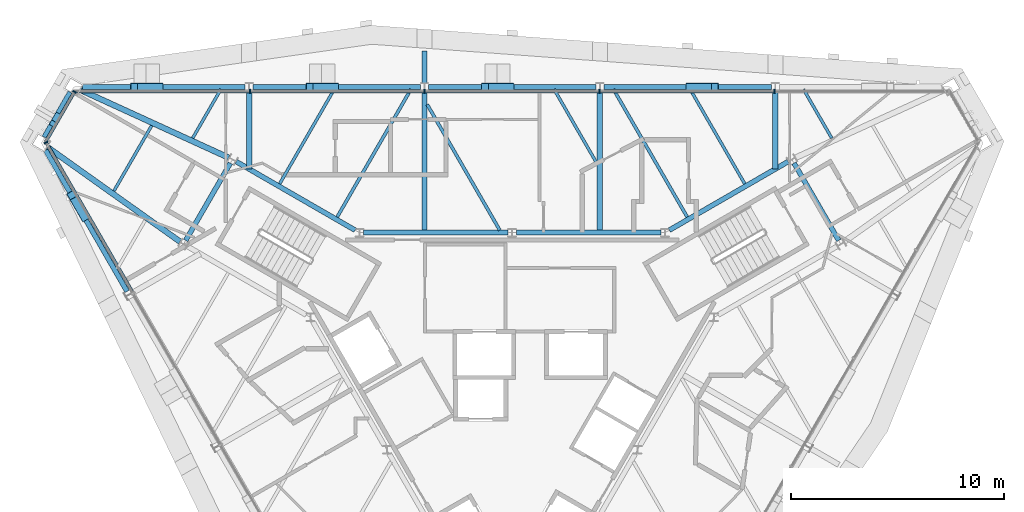
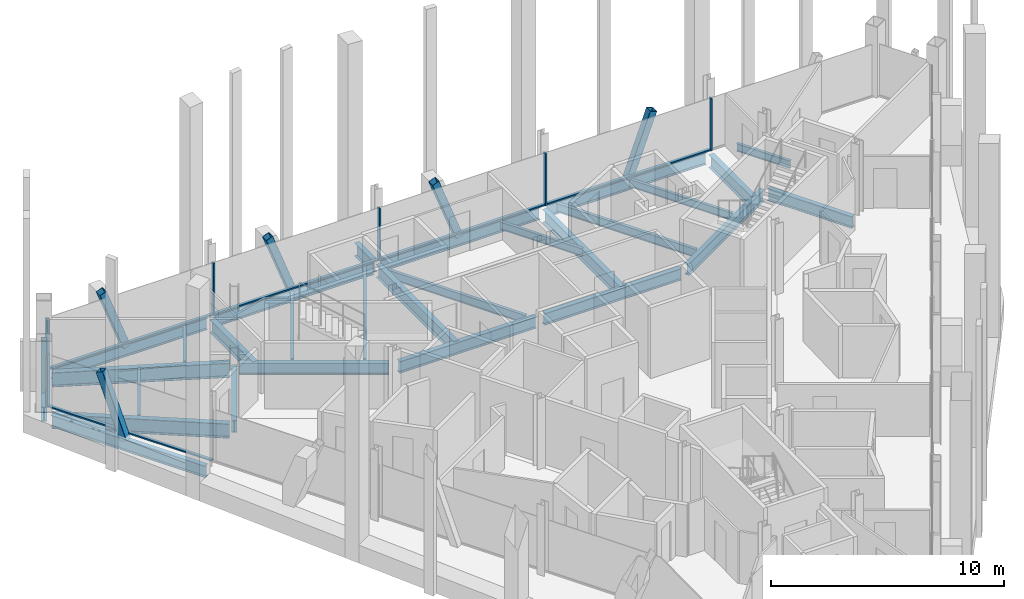
# One storey, part 6 of 15: 28 beams, 18 members, 3 elements without a shape of their own.
"""IFC4 building model written with IfcOpenShell, lengths in metres."""

from ifc_helpers import new_model, si_unit, direction, frame, origin, origin_2d, place, context, subcontext, project, spatial, rectangle, hollow_rectangle, i_section, extrude, material, material_profile, profile_set, type_object, element, aggregate, save


model = new_model("IFC4")

# Units and contexts
model_context = context("Model", 3, precision=1e-05, world=origin(), true_north=direction((0.0, 1.0)))
body_context = subcontext(model_context, "Body", "Model", "MODEL_VIEW")
ifc_project = project(units=[si_unit("LENGTHUNIT", "METRE"), si_unit("AREAUNIT", "SQUARE_METRE"), si_unit("VOLUMEUNIT", "CUBIC_METRE"), si_unit("PLANEANGLEUNIT", "RADIAN"), si_unit("MASSUNIT", "GRAM", prefix="KILO")], contexts=[model_context])

# Site, building, storey
site_placement = place(None, origin())
site = spatial("IfcSite", under=ifc_project, at=site_placement, CompositionType="ELEMENT")
building_placement = place(site_placement, origin())
building = spatial("IfcBuilding", under=site, at=building_placement, Name="Verrane Prism Tower", CompositionType="ELEMENT")
storey_placement = place(building_placement, frame((0.0, 0.0, 297.300048828125)))
storey = spatial("IfcBuildingStorey", under=building, at=storey_placement, Name="L75", CompositionType="ELEMENT", Elevation=297.300048828125)

# Member
ifc_material_1 = material(Name="Steel A500 Grade C", Category="steel")
ifc_material_profile_1 = material_profile(ifc_material_1, hollow_rectangle(XDim=0.25390625, YDim=0.25390625, WallThickness=0.009521484375, InnerFilletRadius=0.0048828125, OuterFilletRadius=0.014404296875, at=origin_2d()), Name="HSS10x10x3/8")
ifc_profile_set_1 = profile_set([ifc_material_profile_1], Name="Steel A500 Grade C")
member_type_1 = type_object("IfcMemberType", Name="Chamfer brace HSS10x10x3/8", PredefinedType="BRACE", material=ifc_profile_set_1)
member_1_placement = place(storey_placement, frame((-21.38037109375, 12.2998046875, -0.24267578125), z_axis=(-0.067784448094, -0.117358148939, 0.990773603541), x_axis=(0.865936922628, -0.500153222552, 0.0)))
element("IfcMember", 1, at=member_1_placement, inside=storey, type_object=member_type_1, Name="Chamfer brace NW0 L75", PredefinedType="BRACE", context=body_context, shape_type="SweptSolid", body=[
    extrude(hollow_rectangle(XDim=0.25390625, YDim=0.25390625, WallThickness=0.009521484375, InnerFilletRadius=0.0048828125, OuterFilletRadius=0.014404296875, at=origin_2d()), origin(), (0.0, 0.0, 1.0), 3.13720703125),
])

# Beams
ifc_material_2 = material(Name="Steel A992", Category="steel")
ifc_material_profile_2 = material_profile(ifc_material_2, i_section(OverallWidth=0.2666015625, OverallDepth=0.7568359375, WebThickness=0.013916015625, FlangeThickness=0.019287109375, FilletRadius=0.0166015625, at=origin_2d()), Name="W30x108")
ifc_profile_set_2 = profile_set([ifc_material_profile_2], Name="Steel A992")
beam_type_1 = type_object("IfcBeamType", Name="Chamfer spandrel beam W30x108", PredefinedType="SPANDREL", material=ifc_profile_set_2)
beam_1_placement = place(storey_placement, frame((-20.75, 13.390380859375, -0.53857421875), z_axis=(-0.500436097356, -0.865773476415, 0.0), x_axis=(0.865773476415, -0.500436097356, 0.0)))
element("IfcBeam", 2, at=beam_1_placement, inside=storey, type_object=beam_type_1, Name="Chamfer spandrel beam L75", PredefinedType="SPANDREL", context=body_context, shape_type="SweptSolid", body=[
    extrude(i_section(OverallWidth=0.2666015625, OverallDepth=0.7568359375, WebThickness=0.013916015625, FlangeThickness=0.019287109375, FilletRadius=0.0166015625, at=origin_2d()), origin(), (0.0, 0.0, 1.0), 2.437744140625),
])
ifc_material_3 = material(Name="Steel A992", Category="steel")
ifc_material_profile_3 = material_profile(ifc_material_3, i_section(OverallWidth=0.23046875, OverallDepth=0.6171875, WebThickness=0.01318359375, FlangeThickness=0.022216796875, FilletRadius=0.012939453125, at=origin_2d()), Name="W24x94")
ifc_profile_set_3 = profile_set([ifc_material_profile_3], Name="Steel A992")
beam_type_2 = type_object("IfcBeamType", Name="Core ring girder W24x94", PredefinedType="BEAM", material=ifc_profile_set_3)
beam_2_placement = place(storey_placement, frame((15.339599609375, 6.43359375, -0.55859375), z_axis=(-0.500306681185, 0.865848268903, 0.0), x_axis=(-0.865848268903, -0.500306681185, 0.0)))
element("IfcBeam", 3, at=beam_2_placement, inside=storey, type_object=beam_type_2, Name="Core ring girder L75", PredefinedType="BEAM", context=body_context, shape_type="SweptSolid", body=[
    extrude(i_section(OverallWidth=0.23046875, OverallDepth=0.6171875, WebThickness=0.01318359375, FlangeThickness=0.022216796875, FilletRadius=0.012939453125, at=origin_2d()), origin(), (0.0, 0.0, 1.0), 4.195556640625),
])
beam_3_placement = place(storey_placement, frame((12.96728515625, 10.140380859375, -0.55859375), z_axis=(-0.866080992722, -0.499903704773, 0.0), x_axis=(0.499903704773, -0.866080992722, 0.0)))
element("IfcBeam", 4, at=beam_3_placement, inside=storey, type_object=beam_type_2, Name="Core ring girder L75", PredefinedType="BEAM", context=body_context, shape_type="SweptSolid", body=[
    extrude(i_section(OverallWidth=0.23046875, OverallDepth=0.6171875, WebThickness=0.01318359375, FlangeThickness=0.022216796875, FilletRadius=0.012939453125, at=origin_2d()), origin(), (0.0, 0.0, 1.0), 6.451904296875),
])
for number, where, z_axis, x_axis, name in (
    (5, (6.980712890625, 6.800048828125, -0.55859375), (-1.0, 0.0, 0.0), (0.0, -1.0, 0.0), "Core ring girder L75"),
    (6, (-0.199462890625, 6.800048828125, -0.55859375), (-1.0, 0.0, 0.0), (0.0, -1.0, 0.0), "Core ring girder L75"),
):
    element("IfcBeam", number, at=place(storey_placement, frame(where, z_axis=z_axis, x_axis=x_axis)), inside=storey, type_object=beam_type_2, Name=name, PredefinedType="BEAM", context=body_context, shape_type="SweptSolid", body=[
        extrude(i_section(OverallWidth=0.23046875, OverallDepth=0.6171875, WebThickness=0.01318359375, FlangeThickness=0.022216796875, FilletRadius=0.012939453125, at=origin_2d()), origin(), (0.0, 0.0, 1.0), 6.78125),
    ])
beam_4_placement = place(storey_placement, frame((-7.37939453125, 6.9150390625, -0.55859375), z_axis=(-0.866080992722, 0.499903704773, 0.0), x_axis=(-0.499903704773, -0.866080992722, 0.0)))
element("IfcBeam", 7, at=beam_4_placement, inside=storey, type_object=beam_type_2, Name="Core ring girder L75", PredefinedType="BEAM", context=body_context, shape_type="SweptSolid", body=[
    extrude(i_section(OverallWidth=0.23046875, OverallDepth=0.6171875, WebThickness=0.01318359375, FlangeThickness=0.022216796875, FilletRadius=0.012939453125, at=origin_2d()), origin(), (0.0, 0.0, 1.0), 6.451904296875),
])
beam_5_placement = place(storey_placement, frame((-13.240478515625, 10.06640625, -0.55859375), z_axis=(-0.500306681185, -0.865848268903, 0.0), x_axis=(0.865848268903, -0.500306681185, 0.0)))
element("IfcBeam", 8, at=beam_5_placement, inside=storey, type_object=beam_type_2, Name="Core ring girder L75", PredefinedType="BEAM", context=body_context, shape_type="SweptSolid", body=[
    extrude(i_section(OverallWidth=0.23046875, OverallDepth=0.6171875, WebThickness=0.01318359375, FlangeThickness=0.022216796875, FilletRadius=0.012939453125, at=origin_2d()), origin(), (0.0, 0.0, 1.0), 4.195556640625),
])
ifc_material_4 = material(Name="Steel A992", Category="steel")
ifc_material_profile_4 = material_profile(ifc_material_4, i_section(OverallWidth=0.2666015625, OverallDepth=0.7568359375, WebThickness=0.013916015625, FlangeThickness=0.019287109375, FilletRadius=0.0166015625, at=origin_2d()), Name="W30x108")
ifc_profile_set_4 = profile_set([ifc_material_profile_4], Name="Steel A992")
beam_type_3 = type_object("IfcBeamType", Name="Corner girder W30x108", PredefinedType="BEAM", material=ifc_profile_set_4)
for number, where, z_axis, x_axis, name in (
    (9, (-20.2802734375, 13.50390625, -0.5986328125), (0.909481370613, -0.415744677065, 0.0), (0.415744677065, 0.909481370613, 0.0), "Corner girder L75"),
    (10, (-21.833740234375, 10.81591796875, -0.5986328125), (0.814401339816, -0.580302040067, 0.0), (0.580302040067, 0.814401339816, 0.0), "Corner girder L75"),
):
    element("IfcBeam", number, at=place(storey_placement, frame(where, z_axis=z_axis, x_axis=x_axis)), inside=storey, type_object=beam_type_3, Name=name, PredefinedType="BEAM", context=body_context, shape_type="SweptSolid", body=[
        extrude(i_section(OverallWidth=0.2666015625, OverallDepth=0.7568359375, WebThickness=0.013916015625, FlangeThickness=0.019287109375, FilletRadius=0.0166015625, at=origin_2d()), origin(), (0.0, 0.0, 1.0), 7.650634765625),
    ])

# Members
ifc_material_5 = material(Name="Steel A500 Grade C", Category="steel")
ifc_material_profile_5 = material_profile(ifc_material_5, hollow_rectangle(XDim=0.355712890625, YDim=0.355712890625, WallThickness=0.0126953125, InnerFilletRadius=0.00634765625, OuterFilletRadius=0.01904296875, at=origin_2d()), Name="HSS14x14x1/2")
ifc_profile_set_5 = profile_set([ifc_material_profile_5], Name="Steel A500 Grade C")
member_type_2 = type_object("IfcMemberType", Name="Facade brace HSS14x14x1/2", PredefinedType="BRACE", material=ifc_profile_set_5)
for number, where, z_axis, x_axis, name in (
    (11, (8.33349609375, 13.64990234375, -0.216796875), (0.347950987795, 0.0, 0.937512725296), (0.0, 1.0, 0.0), "Facade brace N1 L75"),
    (12, (-0.093505859375, 13.64990234375, -0.216796875), (-0.347950987795, 0.0, 0.937512725296), (0.0, -1.0, 0.0), "Facade brace N2 L75"),
    (13, (-8.33349609375, 13.64990234375, -0.216796875), (-0.347950987795, 0.0, 0.937512725296), (0.0, -1.0, 0.0), "Facade brace N3 L75"),
    (14, (-16.573486328125, 13.64990234375, -0.216796875), (-0.347950987795, 0.0, 0.937512725296), (0.0, -1.0, 0.0), "Facade brace N4 L75"),
):
    element("IfcMember", number, at=place(storey_placement, frame(where, z_axis=z_axis, x_axis=x_axis)), inside=storey, type_object=member_type_2, Name=name, PredefinedType="BRACE", context=body_context, shape_type="SweptSolid", body=[
        extrude(hollow_rectangle(XDim=0.355712890625, YDim=0.355712890625, WallThickness=0.0126953125, InnerFilletRadius=0.00634765625, OuterFilletRadius=0.01904296875, at=origin_2d()), origin(), (0.0, 0.0, 1.0), 3.409423828125),
    ])
member_2_placement = place(storey_placement, frame((-20.106689453125, 7.531005859375, -0.216796875), z_axis=(-0.17399901277, 0.301526684269, 0.937446532997), x_axis=(-0.86613421761, -0.499811481546, 0.0)))
element("IfcMember", 15, at=member_2_placement, inside=storey, type_object=member_type_2, Name="Facade brace SW0 L75", PredefinedType="BRACE", context=body_context, shape_type="SweptSolid", body=[
    extrude(hollow_rectangle(XDim=0.355712890625, YDim=0.355712890625, WallThickness=0.0126953125, InnerFilletRadius=0.00634765625, OuterFilletRadius=0.01904296875, at=origin_2d()), origin(), (0.0, 0.0, 1.0), 3.40966796875),
])

# Beams
ifc_material_6 = material(Name="Steel A992", Category="steel")
ifc_material_profile_6 = material_profile(ifc_material_6, i_section(OverallWidth=0.140380859375, OverallDepth=0.40380859375, WebThickness=0.007080078125, FlangeThickness=0.01123046875, FilletRadius=0.01025390625, at=origin_2d()), Name="W16x31")
ifc_profile_set_6 = profile_set([ifc_material_profile_6], Name="Steel A992")
beam_type_4 = type_object("IfcBeamType", Name="Floor beam W16x31", PredefinedType="BEAM", material=ifc_profile_set_6)
beam_6_placement = place(storey_placement, frame((15.01123046875, 11.2421875, -0.362060546875), z_axis=(-0.50007632508, 0.865981332994, 0.0), x_axis=(-0.865981332994, -0.50007632508, 0.0)))
element("IfcBeam", 16, at=beam_6_placement, inside=storey, type_object=beam_type_4, Name="Floor beam L75", PredefinedType="BEAM", context=body_context, shape_type="SweptSolid", body=[
    extrude(i_section(OverallWidth=0.140380859375, OverallDepth=0.40380859375, WebThickness=0.007080078125, FlangeThickness=0.01123046875, FilletRadius=0.01025390625, at=origin_2d()), origin(), (0.0, 0.0, 1.0), 2.6474609375),
])
beam_7_placement = place(storey_placement, frame((10.925048828125, 9.094482421875, -0.362060546875), z_axis=(-0.500005474671, 0.866022242959, 0.0), x_axis=(-0.866022242959, -0.500005474671, 0.0)))
element("IfcBeam", 17, at=beam_7_placement, inside=storey, type_object=beam_type_4, Name="Floor beam L75", PredefinedType="BEAM", context=body_context, shape_type="SweptSolid", body=[
    extrude(i_section(OverallWidth=0.140380859375, OverallDepth=0.40380859375, WebThickness=0.007080078125, FlangeThickness=0.01123046875, FilletRadius=0.01025390625, at=origin_2d()), origin(), (0.0, 0.0, 1.0), 5.12744140625),
])
beam_8_placement = place(storey_placement, frame((3.992919921875, 10.029296875, -0.362060546875), z_axis=(-0.499992196334, 0.866029909186, 0.0), x_axis=(-0.866029909186, -0.499992196334, 0.0)))
element("IfcBeam", 18, at=beam_8_placement, inside=storey, type_object=beam_type_4, Name="Floor beam L75", PredefinedType="BEAM", context=body_context, shape_type="SweptSolid", body=[
    extrude(i_section(OverallWidth=0.140380859375, OverallDepth=0.40380859375, WebThickness=0.007080078125, FlangeThickness=0.01123046875, FilletRadius=0.01025390625, at=origin_2d()), origin(), (0.0, 0.0, 1.0), 4.0478515625),
])
beam_9_placement = place(storey_placement, frame((-10.925048828125, 9.094482421875, -0.362060546875), z_axis=(0.500005474671, 0.866022242959, 0.0), x_axis=(-0.866022242959, 0.500005474671, 0.0)))
element("IfcBeam", 19, at=beam_9_placement, inside=storey, type_object=beam_type_4, Name="Floor beam L75", PredefinedType="BEAM", context=body_context, shape_type="SweptSolid", body=[
    extrude(i_section(OverallWidth=0.140380859375, OverallDepth=0.40380859375, WebThickness=0.007080078125, FlangeThickness=0.01123046875, FilletRadius=0.01025390625, at=origin_2d()), origin(), (0.0, 0.0, 1.0), 5.12744140625),
])
beam_10_placement = place(storey_placement, frame((-15.01123046875, 11.2421875, -0.362060546875), z_axis=(0.50007632508, 0.865981332994, 0.0), x_axis=(-0.865981332994, 0.50007632508, 0.0)))
element("IfcBeam", 20, at=beam_10_placement, inside=storey, type_object=beam_type_4, Name="Floor beam L75", PredefinedType="BEAM", context=body_context, shape_type="SweptSolid", body=[
    extrude(i_section(OverallWidth=0.140380859375, OverallDepth=0.40380859375, WebThickness=0.007080078125, FlangeThickness=0.01123046875, FilletRadius=0.01025390625, at=origin_2d()), origin(), (0.0, 0.0, 1.0), 2.6474609375),
])
beam_11_placement = place(storey_placement, frame((-18.712158203125, 8.755615234375, -0.362060546875), z_axis=(0.499986454343, 0.866033224232, 0.0), x_axis=(-0.866033224232, 0.499986454343, 0.0)))
element("IfcBeam", 21, at=beam_11_placement, inside=storey, type_object=beam_type_4, Name="Floor beam L75", PredefinedType="BEAM", context=body_context, shape_type="SweptSolid", body=[
    extrude(i_section(OverallWidth=0.140380859375, OverallDepth=0.40380859375, WebThickness=0.007080078125, FlangeThickness=0.01123046875, FilletRadius=0.01025390625, at=origin_2d()), origin(), (0.0, 0.0, 1.0), 3.548828125),
])
ifc_material_7 = material(Name="Steel A992", Category="steel")
ifc_material_profile_7 = material_profile(ifc_material_7, i_section(OverallWidth=0.15234375, OverallDepth=0.449462890625, WebThickness=0.007568359375, FlangeThickness=0.0107421875, FilletRadius=0.01025390625, at=origin_2d()), Name="W18x35")
ifc_profile_set_7 = profile_set([ifc_material_profile_7], Name="Steel A992")
beam_type_5 = type_object("IfcBeamType", Name="Floor beam W18x35", PredefinedType="BEAM", material=ifc_profile_set_7)
beam_12_placement = place(storey_placement, frame((8.22265625, 7.53466796875, -0.384765625), z_axis=(-0.500012221024, 0.866018347858, 0.0), x_axis=(-0.866018347858, -0.500012221024, 0.0)))
element("IfcBeam", 22, at=beam_12_placement, inside=storey, type_object=beam_type_5, Name="Floor beam L75", PredefinedType="BEAM", context=body_context, shape_type="SweptSolid", body=[
    extrude(i_section(OverallWidth=0.15234375, OverallDepth=0.449462890625, WebThickness=0.007568359375, FlangeThickness=0.0107421875, FilletRadius=0.01025390625, at=origin_2d()), origin(), (0.0, 0.0, 1.0), 6.928466796875),
])
beam_13_placement = place(storey_placement, frame((-0.583251953125, 6.9150390625, -0.384765625), z_axis=(-0.499997234054, 0.866027000698, 0.0), x_axis=(-0.866027000698, -0.499997234054, 0.0)))
element("IfcBeam", 23, at=beam_13_placement, inside=storey, type_object=beam_type_5, Name="Floor beam L75", PredefinedType="BEAM", context=body_context, shape_type="SweptSolid", body=[
    extrude(i_section(OverallWidth=0.15234375, OverallDepth=0.449462890625, WebThickness=0.007568359375, FlangeThickness=0.0107421875, FilletRadius=0.01025390625, at=origin_2d()), origin(), (0.0, 0.0, 1.0), 6.8193359375),
])
beam_14_placement = place(storey_placement, frame((-8.22265625, 7.53466796875, -0.384765625), z_axis=(0.500012221024, 0.866018347858, 0.0), x_axis=(-0.866018347858, 0.500012221024, 0.0)))
element("IfcBeam", 24, at=beam_14_placement, inside=storey, type_object=beam_type_5, Name="Floor beam L75", PredefinedType="BEAM", context=body_context, shape_type="SweptSolid", body=[
    extrude(i_section(OverallWidth=0.15234375, OverallDepth=0.449462890625, WebThickness=0.007568359375, FlangeThickness=0.0107421875, FilletRadius=0.01025390625, at=origin_2d()), origin(), (0.0, 0.0, 1.0), 6.928466796875),
])

# Curtain wall, members
ifc_material_8 = material(Name="Aluminium framed insulated glazing", Category="aluminium")
curtain_wall_type = type_object("IfcCurtainWallType", Name="Curtain wall CW-A 8400 module", PredefinedType="NOTDEFINED", material=ifc_material_8)
curtain_wall_1_placement = place(storey_placement, origin())
curtain_wall_1 = element("IfcCurtainWall", 25, at=curtain_wall_1_placement, inside=storey, type_object=curtain_wall_type, Name="Glazed curtain wall north face L75", PredefinedType="NOTDEFINED")
ifc_material_9 = material(Name="Aluminium alloy 6063-T6", Category="aluminium")
ifc_material_profile_8 = material_profile(ifc_material_9, rectangle(XDim=0.199951171875, YDim=0.070068359375, at=origin_2d()), Name="Mullion 70x200 aluminium")
ifc_profile_set_8 = profile_set([ifc_material_profile_8], Name="Aluminium alloy 6063-T6")
member_type_3 = type_object("IfcMemberType", Name="Mullion 70x200 aluminium", PredefinedType="MULLION", material=ifc_profile_set_8)
member_3_placement = place(storey_placement, frame((12.32763671875, 13.447265625, 0.0), z_axis=(0.0, 0.0, 1.0), x_axis=(0.0, -1.0, 0.0)))
member_3 = element("IfcMember", 26, at=member_3_placement, type_object=member_type_3, Name="CW75.2 mullion 2", PredefinedType="MULLION", context=body_context, shape_type="SweptSolid", body=[
    extrude(rectangle(XDim=0.199951171875, YDim=0.070068359375, at=origin_2d()), origin(), (0.0, 0.0, 1.0), 2.72314453125),
])
member_4_placement = place(storey_placement, frame((4.109130859375, 13.447265625, 0.0), z_axis=(0.0, 0.0, 1.0), x_axis=(0.0, -1.0, 0.0)))
member_4 = element("IfcMember", 27, at=member_4_placement, type_object=member_type_3, Name="CW75.2 mullion 3", PredefinedType="MULLION", context=body_context, shape_type="SweptSolid", body=[
    extrude(rectangle(XDim=0.199951171875, YDim=0.070068359375, at=origin_2d()), origin(), (0.0, 0.0, 1.0), 2.72314453125),
])
member_5_placement = place(storey_placement, frame((-4.109130859375, 13.447265625, 0.0), z_axis=(0.0, 0.0, 1.0), x_axis=(0.0, -1.0, 0.0)))
member_5 = element("IfcMember", 28, at=member_5_placement, type_object=member_type_3, Name="CW75.2 mullion 4", PredefinedType="MULLION", context=body_context, shape_type="SweptSolid", body=[
    extrude(rectangle(XDim=0.199951171875, YDim=0.070068359375, at=origin_2d()), origin(), (0.0, 0.0, 1.0), 2.72314453125),
])
member_6_placement = place(storey_placement, frame((-12.32763671875, 13.447265625, 0.0), z_axis=(0.0, 0.0, 1.0), x_axis=(0.0, -1.0, 0.0)))
member_6 = element("IfcMember", 29, at=member_6_placement, type_object=member_type_3, Name="CW75.2 mullion 5", PredefinedType="MULLION", context=body_context, shape_type="SweptSolid", body=[
    extrude(rectangle(XDim=0.199951171875, YDim=0.070068359375, at=origin_2d()), origin(), (0.0, 0.0, 1.0), 2.72314453125),
])

# Curtain wall, member
curtain_wall_2_placement = place(storey_placement, origin())
curtain_wall_2 = element("IfcCurtainWall", 30, at=curtain_wall_2_placement, inside=storey, type_object=curtain_wall_type, Name="Glazed curtain wall north-west corner L75", PredefinedType="NOTDEFINED")
member_7_placement = place(storey_placement, frame((-20.563720703125, 13.4169921875, 0.0), z_axis=(0.0, 0.0, 1.0), x_axis=(0.866024225493, -0.500002040855, 0.0)))
member_7 = element("IfcMember", 31, at=member_7_placement, type_object=member_type_3, Name="CW75.3 mullion 1", PredefinedType="MULLION", context=body_context, shape_type="SweptSolid", body=[
    extrude(rectangle(XDim=0.199951171875, YDim=0.070068359375, at=origin_2d()), origin(), (0.0, 0.0, 1.0), 2.72314453125),
])

curtain_wall_3_placement = place(storey_placement, origin())
curtain_wall_3 = element("IfcCurtainWall", 32, at=curtain_wall_3_placement, inside=storey, type_object=curtain_wall_type, Name="Glazed curtain wall south-west face L75", PredefinedType="NOTDEFINED")
member_8_placement = place(storey_placement, frame((-21.901123046875, 11.03955078125, 0.0), z_axis=(0.0, 0.0, 1.0), x_axis=(0.866024861728, 0.500000938868, 0.0)))
member_8 = element("IfcMember", 33, at=member_8_placement, type_object=member_type_3, Name="CW75.4 mullion 1", PredefinedType="MULLION", context=body_context, shape_type="SweptSolid", body=[
    extrude(rectangle(XDim=0.199951171875, YDim=0.070068359375, at=origin_2d()), origin(), (0.0, 0.0, 1.0), 2.72314453125),
])

# Beams
ifc_material_10 = material(Name="Steel A992", Category="steel")
ifc_material_profile_9 = material_profile(ifc_material_10, i_section(OverallWidth=0.25390625, OverallDepth=0.683349609375, WebThickness=0.012451171875, FlangeThickness=0.01904296875, FilletRadius=0.01513671875, at=origin_2d()), Name="W27x94")
ifc_profile_set_9 = profile_set([ifc_material_profile_9], Name="Steel A992")
beam_type_6 = type_object("IfcBeamType", Name="Radial girder W27x94", PredefinedType="BEAM", material=ifc_profile_set_9)
beam_15_placement = place(storey_placement, frame((12.360107421875, 13.4658203125, -0.561767578125), z_axis=(0.0, -1.0, 0.0), x_axis=(1.0, 0.0, 0.0)))
element("IfcBeam", 34, at=beam_15_placement, inside=storey, type_object=beam_type_6, Name="Radial girder L75", PredefinedType="BEAM", context=body_context, shape_type="SweptSolid", body=[
    extrude(i_section(OverallWidth=0.25390625, OverallDepth=0.683349609375, WebThickness=0.012451171875, FlangeThickness=0.01904296875, FilletRadius=0.01513671875, at=origin_2d()), origin(), (0.0, 0.0, 1.0), 3.676025390625),
])
for number, where, z_axis, x_axis, name in (
    (35, (4.1201171875, 13.4658203125, -0.561767578125), (0.0, -1.0, 0.0), (1.0, 0.0, 0.0), "Radial girder L75"),
    (36, (-4.1201171875, 13.4658203125, -0.561767578125), (0.0, -1.0, 0.0), (1.0, 0.0, 0.0), "Radial girder L75"),
):
    element("IfcBeam", number, at=place(storey_placement, frame(where, z_axis=z_axis, x_axis=x_axis)), inside=storey, type_object=beam_type_6, Name=name, PredefinedType="BEAM", context=body_context, shape_type="SweptSolid", body=[
        extrude(i_section(OverallWidth=0.25390625, OverallDepth=0.683349609375, WebThickness=0.012451171875, FlangeThickness=0.01904296875, FilletRadius=0.01513671875, at=origin_2d()), origin(), (0.0, 0.0, 1.0), 6.665771484375),
    ])
beam_16_placement = place(storey_placement, frame((-12.360107421875, 13.4658203125, -0.561767578125), z_axis=(0.0, -1.0, 0.0), x_axis=(1.0, 0.0, 0.0)))
element("IfcBeam", 37, at=beam_16_placement, inside=storey, type_object=beam_type_6, Name="Radial girder L75", PredefinedType="BEAM", context=body_context, shape_type="SweptSolid", body=[
    extrude(i_section(OverallWidth=0.25390625, OverallDepth=0.683349609375, WebThickness=0.012451171875, FlangeThickness=0.01904296875, FilletRadius=0.01513671875, at=origin_2d()), origin(), (0.0, 0.0, 1.0), 3.676025390625),
])
beam_17_placement = place(storey_placement, frame((-4.1201171875, 13.830078125, -0.561767578125), z_axis=(0.0, 1.0, 0.0), x_axis=(-1.0, 0.0, 0.0)))
element("IfcBeam", 38, at=beam_17_placement, inside=storey, type_object=beam_type_6, Name="Cantilever girder L75", PredefinedType="BEAM", context=body_context, shape_type="SweptSolid", body=[
    extrude(i_section(OverallWidth=0.25390625, OverallDepth=0.683349609375, WebThickness=0.012451171875, FlangeThickness=0.01904296875, FilletRadius=0.01513671875, at=origin_2d()), origin(), (0.0, 0.0, 1.0), 1.5029296875),
])
ifc_material_11 = material(Name="Steel A992", Category="steel")
ifc_material_profile_10 = material_profile(ifc_material_11, i_section(OverallWidth=0.23046875, OverallDepth=0.6171875, WebThickness=0.01318359375, FlangeThickness=0.022216796875, FilletRadius=0.012939453125, at=origin_2d()), Name="W24x94")
ifc_profile_set_10 = profile_set([ifc_material_profile_10], Name="Steel A992")
beam_type_7 = type_object("IfcBeamType", Name="Spandrel beam W24x94", PredefinedType="SPANDREL", material=ifc_profile_set_10)
for number, where, z_axis, x_axis, name in (
    (39, (12.17333984375, 13.64990234375, -0.46875), (-1.0, 0.0, 0.0), (0.0, -1.0, 0.0), "Spandrel beam L75"),
    (40, (3.933349609375, 13.64990234375, -0.46875), (-1.0, 0.0, 0.0), (0.0, -1.0, 0.0), "Spandrel beam L75"),
    (41, (-4.306640625, 13.64990234375, -0.46875), (-1.0, 0.0, 0.0), (0.0, -1.0, 0.0), "Spandrel beam L75"),
):
    element("IfcBeam", number, at=place(storey_placement, frame(where, z_axis=z_axis, x_axis=x_axis)), inside=storey, type_object=beam_type_7, Name=name, PredefinedType="SPANDREL", context=body_context, shape_type="SweptSolid", body=[
        extrude(i_section(OverallWidth=0.23046875, OverallDepth=0.6171875, WebThickness=0.01318359375, FlangeThickness=0.022216796875, FilletRadius=0.012939453125, at=origin_2d()), origin(), (0.0, 0.0, 1.0), 7.86669921875),
    ])
beam_18_placement = place(storey_placement, frame((-12.546630859375, 13.64990234375, -0.46875), z_axis=(-1.0, 0.0, 0.0), x_axis=(0.0, -1.0, 0.0)))
element("IfcBeam", 42, at=beam_18_placement, inside=storey, type_object=beam_type_7, Name="Spandrel beam L75", PredefinedType="SPANDREL", context=body_context, shape_type="SweptSolid", body=[
    extrude(i_section(OverallWidth=0.23046875, OverallDepth=0.6171875, WebThickness=0.01318359375, FlangeThickness=0.022216796875, FilletRadius=0.012939453125, at=origin_2d()), origin(), (0.0, 0.0, 1.0), 7.649169921875),
])
beam_19_placement = place(storey_placement, frame((-21.91796875, 10.669921875, -0.46875), z_axis=(0.499797022492, -0.866142561192, 0.0), x_axis=(0.866142561192, 0.499797022492, 0.0)))
element("IfcBeam", 43, at=beam_19_placement, inside=storey, type_object=beam_type_7, Name="Spandrel beam L75", PredefinedType="SPANDREL", context=body_context, shape_type="SweptSolid", body=[
    extrude(i_section(OverallWidth=0.23046875, OverallDepth=0.6171875, WebThickness=0.01318359375, FlangeThickness=0.022216796875, FilletRadius=0.012939453125, at=origin_2d()), origin(), (0.0, 0.0, 1.0), 7.652587890625),
])

# Member
ifc_material_12 = material(Name="Aluminium alloy 6063-T6", Category="aluminium")
ifc_material_profile_11 = material_profile(ifc_material_12, rectangle(XDim=0.14990234375, YDim=0.070068359375, at=origin_2d()), Name="Transom 70x150 aluminium")
ifc_profile_set_11 = profile_set([ifc_material_profile_11], Name="Aluminium alloy 6063-T6")
member_type_4 = type_object("IfcMemberType", Name="Transom 70x150 aluminium", PredefinedType="USERDEFINED", material=ifc_profile_set_11)
member_9_placement = place(storey_placement, frame((12.292724609375, 13.447265625, 0.034912109375), z_axis=(-1.0, 0.0, 0.0), x_axis=(0.0, -1.0, 0.0)))
member_9 = element("IfcMember", 44, at=member_9_placement, type_object=member_type_4, Name="CW75.2 transom 2", ObjectType="TRANSOM", PredefinedType="USERDEFINED", context=body_context, shape_type="SweptSolid", body=[
    extrude(rectangle(XDim=0.14990234375, YDim=0.070068359375, at=origin_2d()), origin(), (0.0, 0.0, 1.0), 8.1484375),
])

member_10_placement = place(storey_placement, frame((4.07421875, 13.447265625, 0.034912109375), z_axis=(-1.0, 0.0, 0.0), x_axis=(0.0, -1.0, 0.0)))
member_10 = element("IfcMember", 45, at=member_10_placement, type_object=member_type_4, Name="CW75.2 transom 3", ObjectType="TRANSOM", PredefinedType="USERDEFINED", context=body_context, shape_type="SweptSolid", body=[
    extrude(rectangle(XDim=0.14990234375, YDim=0.070068359375, at=origin_2d()), origin(), (0.0, 0.0, 1.0), 8.1484375),
])

member_11_placement = place(storey_placement, frame((-4.144287109375, 13.447265625, 0.034912109375), z_axis=(-1.0, 0.0, 0.0), x_axis=(0.0, -1.0, 0.0)))
member_11 = element("IfcMember", 46, at=member_11_placement, type_object=member_type_4, Name="CW75.2 transom 4", ObjectType="TRANSOM", PredefinedType="USERDEFINED", context=body_context, shape_type="SweptSolid", body=[
    extrude(rectangle(XDim=0.14990234375, YDim=0.070068359375, at=origin_2d()), origin(), (0.0, 0.0, 1.0), 8.1484375),
])

member_12_placement = place(storey_placement, frame((-12.362548828125, 13.447265625, 0.034912109375), z_axis=(-1.0, 0.0, 0.0), x_axis=(0.0, -1.0, 0.0)))
member_12 = element("IfcMember", 47, at=member_12_placement, type_object=member_type_4, Name="CW75.2 transom 5", ObjectType="TRANSOM", PredefinedType="USERDEFINED", context=body_context, shape_type="SweptSolid", body=[
    extrude(rectangle(XDim=0.14990234375, YDim=0.070068359375, at=origin_2d()), origin(), (0.0, 0.0, 1.0), 8.18359375),
])

aggregate(curtain_wall_1, [member_3, member_4, member_5, member_6, member_9, member_10, member_11, member_12])

member_13_placement = place(storey_placement, frame((-20.5810546875, 13.386474609375, 0.034912109375), z_axis=(-0.50003581814, -0.866004723184, 0.0), x_axis=(0.866004723184, -0.50003581814, 0.0)))
member_13 = element("IfcMember", 48, at=member_13_placement, type_object=member_type_4, Name="CW75.3 transom 1", ObjectType="TRANSOM", PredefinedType="USERDEFINED", context=body_context, shape_type="SweptSolid", body=[
    extrude(rectangle(XDim=0.14990234375, YDim=0.070068359375, at=origin_2d()), origin(), (0.0, 0.0, 1.0), 2.675048828125),
])

aggregate(curtain_wall_2, [member_7, member_13])

member_14_placement = place(storey_placement, frame((-21.8837890625, 11.00927734375, 0.034912109375), z_axis=(0.500006361831, -0.866021730749, 0.0), x_axis=(0.866021730749, 0.500006361831, 0.0)))
member_14 = element("IfcMember", 49, at=member_14_placement, type_object=member_type_4, Name="CW75.4 transom 1", ObjectType="TRANSOM", PredefinedType="USERDEFINED", context=body_context, shape_type="SweptSolid", body=[
    extrude(rectangle(XDim=0.14990234375, YDim=0.070068359375, at=origin_2d()), origin(), (0.0, 0.0, 1.0), 8.11376953125),
])

aggregate(curtain_wall_3, [member_8, member_14])

save(model, "model.ifc")
